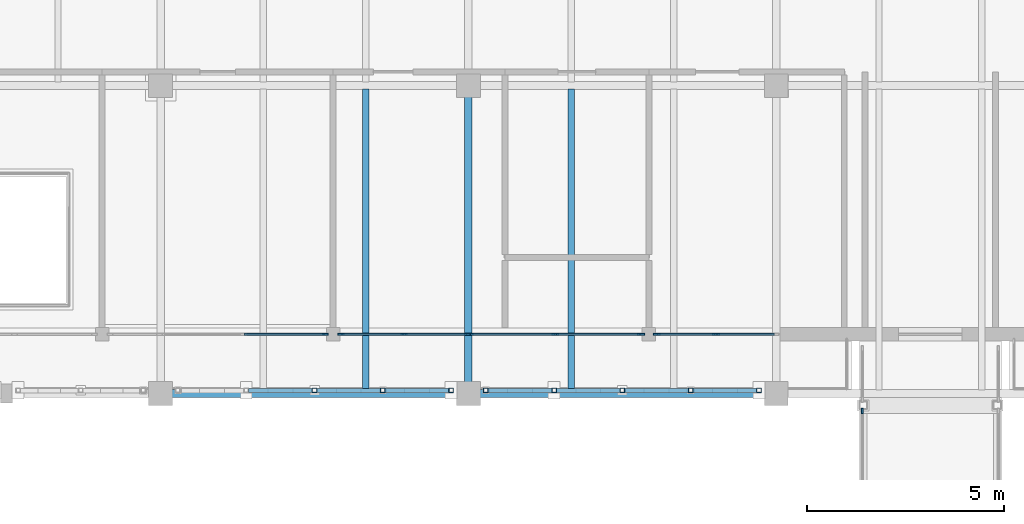
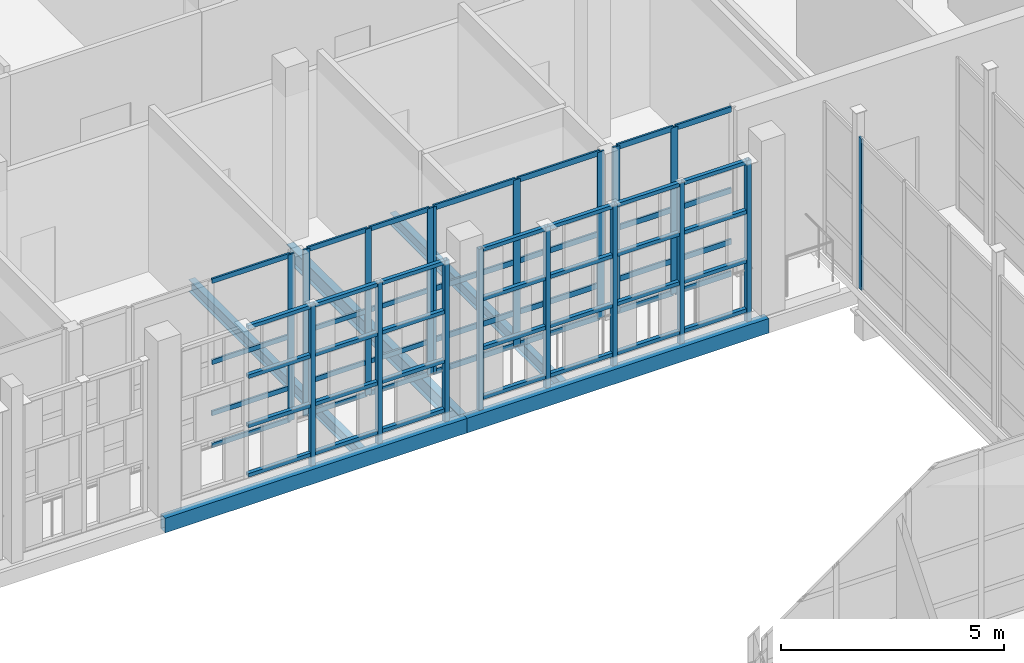
# One storey, part 71 of 138: 74 members, 5 beams, 5 elements without a shape of their own.
"""IFC4 building model written with IfcOpenShell, lengths in metres."""

from ifc_helpers import new_model, si_unit, direction, frame, origin, origin_2d, place, context, subcontext, project, spatial, rectangle, hollow_rectangle, i_section, extrude, material, layer, layer_set, material_profile, profile_set, type_object, element, aggregate, save


model = new_model("IFC4")

# Units and contexts
model_context = context("Model", 3, precision=1e-05, world=origin(), true_north=direction((0.0, 1.0)))
body_context = subcontext(model_context, "Body", "Model", "MODEL_VIEW")
ifc_project = project(units=[si_unit("LENGTHUNIT", "METRE"), si_unit("AREAUNIT", "SQUARE_METRE"), si_unit("VOLUMEUNIT", "CUBIC_METRE"), si_unit("PLANEANGLEUNIT", "RADIAN"), si_unit("MASSUNIT", "GRAM", prefix="KILO")], contexts=[model_context])

# Site, building, storey
site_placement = place(None, origin())
site = spatial("IfcSite", under=ifc_project, at=site_placement, CompositionType="ELEMENT")
building_placement = place(site_placement, origin())
building = spatial("IfcBuilding", under=site, at=building_placement, Name="Celorna Specialist Clinic", CompositionType="ELEMENT")
storey_placement = place(building_placement, frame((0.0, 0.0, 4.800048828125)))
storey = spatial("IfcBuildingStorey", under=building, at=storey_placement, Name="L01", CompositionType="ELEMENT", Elevation=4.800048828125)

# Beams
ifc_material_1 = material(Name="Steel S355", Category="steel")
ifc_material_profile_1 = material_profile(ifc_material_1, i_section(OverallWidth=0.18994140625, OverallDepth=0.449951171875, WebThickness=0.009521484375, FlangeThickness=0.0146484375, at=origin_2d()), Name="IPE 450")
ifc_profile_set_1 = profile_set([ifc_material_profile_1], Name="Steel S355")
beam_type_1 = type_object("IfcBeamType", Name="BM-09", PredefinedType="BEAM", material=ifc_profile_set_1)
beam_1_placement = place(storey_placement, frame((132.60009765625, 96.5, -0.485107421875), z_axis=(0.0, 1.0, 0.0), x_axis=(-1.0, 0.0, 0.0)))
element("IfcBeam", 1, at=beam_1_placement, inside=storey, type_object=beam_type_1, Name="Transverse girder BM-09 #965", PredefinedType="BEAM", context=body_context, shape_type="SweptSolid", body=[
    extrude(i_section(OverallWidth=0.18994140625, OverallDepth=0.449951171875, WebThickness=0.009521484375, FlangeThickness=0.0146484375, at=origin_2d()), origin(), (0.0, 0.0, 1.0), 7.800048828125),
])
ifc_material_profile_2 = material_profile(ifc_material_1, i_section(OverallWidth=0.159912109375, OverallDepth=0.330078125, WebThickness=0.007568359375, FlangeThickness=0.011474609375, at=origin_2d()), Name="IPE 330")
ifc_profile_set_2 = profile_set([ifc_material_profile_2], Name="Steel S355")
beam_type_2 = type_object("IfcBeamType", Name="BM-12", PredefinedType="JOIST", material=ifc_profile_set_2)
for number, where, z_axis, x_axis, name in (
    (2, (130.0, 96.587890625, -0.425048828125), (0.0, 1.0, 0.0), (-1.0, 0.0, 0.0), "Secondary floor joist BM-12 #1034"),
    (3, (135.199951171875, 96.587890625, -0.425048828125), (0.0, 1.0, 0.0), (-1.0, 0.0, 0.0), "Secondary floor joist BM-12 #1039"),
):
    element("IfcBeam", number, at=place(storey_placement, frame(where, z_axis=z_axis, x_axis=x_axis)), inside=storey, type_object=beam_type_2, Name=name, PredefinedType="JOIST", context=body_context, shape_type="SweptSolid", body=[
        extrude(i_section(OverallWidth=0.159912109375, OverallDepth=0.330078125, WebThickness=0.007568359375, FlangeThickness=0.011474609375, at=origin_2d()), origin(), (0.0, 0.0, 1.0), 7.6240234375),
    ])
ifc_material_profile_3 = material_profile(ifc_material_1, hollow_rectangle(XDim=0.199951171875, YDim=0.39990234375, WallThickness=0.011962890625, at=origin_2d()), Name="RHS 200x400x12")
ifc_profile_set_3 = profile_set([ifc_material_profile_3], Name="Steel S355")
beam_type_3 = type_object("IfcBeamType", Name="BM-15", PredefinedType="SPANDREL", material=ifc_profile_set_3)
beam_2_placement = place(storey_placement, frame((124.800048828125, 96.5, -0.4599609375), z_axis=(1.0, 0.0, 0.0), x_axis=(0.0, 1.0, 0.0)))
element("IfcBeam", 4, at=beam_2_placement, inside=storey, type_object=beam_type_3, Name="Spandrel beam BM-15 #879", PredefinedType="SPANDREL", context=body_context, shape_type="SweptSolid", body=[
    extrude(hollow_rectangle(XDim=0.199951171875, YDim=0.39990234375, WallThickness=0.011962890625, at=origin_2d()), origin(), (0.0, 0.0, 1.0), 7.800048828125),
])
beam_3_placement = place(storey_placement, frame((132.60009765625, 96.5, -0.4599609375), z_axis=(1.0, 0.0, 0.0), x_axis=(0.0, 1.0, 0.0)))
element("IfcBeam", 5, at=beam_3_placement, inside=storey, type_object=beam_type_3, Name="Spandrel beam BM-15 #880", PredefinedType="SPANDREL", context=body_context, shape_type="SweptSolid", body=[
    extrude(hollow_rectangle(XDim=0.199951171875, YDim=0.39990234375, WallThickness=0.011962890625, at=origin_2d()), origin(), (0.0, 0.0, 1.0), 7.7998046875),
])

# Members
ifc_material_profile_4 = material_profile(ifc_material_1, hollow_rectangle(XDim=0.1201171875, YDim=0.1201171875, WallThickness=0.008056640625, at=origin_2d()), Name="SHS 120x120x8")
ifc_profile_set_4 = profile_set([ifc_material_profile_4], Name="Steel S355")
member_type_1 = type_object("IfcMemberType", Name="MB-11", PredefinedType="STUD", material=ifc_profile_set_4)
for number, where, z_axis, x_axis, name in (
    (6, (128.699951171875, 96.580078125, -0.360107421875), (0.0, 0.0, 1.0), (1.0, 0.0, 0.0), "Perforated screen steel post #902"),
    (7, (130.429931640625, 96.580078125, -0.360107421875), (0.0, 0.0, 1.0), (1.0, 0.0, 0.0), "Perforated screen steel post #903"),
    (8, (132.159912109375, 96.580078125, -0.360107421875), (0.0, 0.0, 1.0), (1.0, 0.0, 0.0), "Perforated screen steel post #904"),
    (9, (133.0400390625, 96.580078125, -0.360107421875), (0.0, 0.0, 1.0), (1.0, 0.0, 0.0), "Perforated screen steel post #921"),
    (10, (134.77001953125, 96.580078125, -0.360107421875), (0.0, 0.0, 1.0), (1.0, 0.0, 0.0), "Perforated screen steel post #922"),
    (11, (136.5, 96.580078125, -0.360107421875), (0.0, 0.0, 1.0), (1.0, 0.0, 0.0), "Perforated screen steel post #923"),
    (12, (138.22998046875, 96.580078125, -0.360107421875), (0.0, 0.0, 1.0), (1.0, 0.0, 0.0), "Perforated screen steel post #924"),
    (13, (139.9599609375, 96.580078125, -0.360107421875), (0.0, 0.0, 1.0), (1.0, 0.0, 0.0), "Perforated screen steel post #925"),
):
    element("IfcMember", number, at=place(storey_placement, frame(where, z_axis=z_axis, x_axis=x_axis)), inside=storey, type_object=member_type_1, Name=name, PredefinedType="STUD", context=body_context, shape_type="SweptSolid", body=[
        extrude(hollow_rectangle(XDim=0.1201171875, YDim=0.1201171875, WallThickness=0.008056640625, at=origin_2d()), origin(), (0.0, 0.0, 1.0), 4.5),
    ])
ifc_material_profile_5 = material_profile(ifc_material_1, hollow_rectangle(XDim=0.10009765625, YDim=0.10009765625, WallThickness=0.006103515625, at=origin_2d()), Name="SHS 100x100x6")
ifc_profile_set_5 = profile_set([ifc_material_profile_5], Name="Steel S355")
member_type_2 = type_object("IfcMemberType", Name="MB-12", PredefinedType="STUD", material=ifc_profile_set_5)
for number, where, z_axis, x_axis, name in (
    (14, (127.030029296875, 96.580078125, 0.050048828125), (1.0, 0.0, 0.0), (0.0, 1.0, 0.0), "Perforated screen rail #909"),
    (15, (127.030029296875, 96.580078125, 1.396728515625), (1.0, 0.0, 0.0), (0.0, 1.0, 0.0), "Perforated screen rail #910"),
    (16, (127.030029296875, 96.580078125, 2.7431640625), (1.0, 0.0, 0.0), (0.0, 1.0, 0.0), "Perforated screen rail #911"),
    (17, (127.030029296875, 96.580078125, 4.08984375), (1.0, 0.0, 0.0), (0.0, 1.0, 0.0), "Perforated screen rail #912"),
):
    element("IfcMember", number, at=place(storey_placement, frame(where, z_axis=z_axis, x_axis=x_axis)), inside=storey, type_object=member_type_2, Name=name, PredefinedType="STUD", context=body_context, shape_type="SweptSolid", body=[
        extrude(hollow_rectangle(XDim=0.10009765625, YDim=0.10009765625, WallThickness=0.006103515625, at=origin_2d()), origin(), (0.0, 0.0, 1.0), 1.60986328125),
    ])
for number, where, z_axis, x_axis, name in (
    (18, (128.760009765625, 96.580078125, 0.050048828125), (1.0, 0.0, 0.0), (0.0, 1.0, 0.0), "Perforated screen rail #913"),
    (19, (128.760009765625, 96.580078125, 1.396728515625), (1.0, 0.0, 0.0), (0.0, 1.0, 0.0), "Perforated screen rail #914"),
    (20, (128.760009765625, 96.580078125, 2.7431640625), (1.0, 0.0, 0.0), (0.0, 1.0, 0.0), "Perforated screen rail #915"),
    (21, (128.760009765625, 96.580078125, 4.08984375), (1.0, 0.0, 0.0), (0.0, 1.0, 0.0), "Perforated screen rail #916"),
    (22, (130.489990234375, 96.580078125, 0.050048828125), (1.0, 0.0, 0.0), (0.0, 1.0, 0.0), "Perforated screen rail #917"),
    (23, (130.489990234375, 96.580078125, 1.396728515625), (1.0, 0.0, 0.0), (0.0, 1.0, 0.0), "Perforated screen rail #918"),
    (24, (130.489990234375, 96.580078125, 2.7431640625), (1.0, 0.0, 0.0), (0.0, 1.0, 0.0), "Perforated screen rail #919"),
    (25, (130.489990234375, 96.580078125, 4.08984375), (1.0, 0.0, 0.0), (0.0, 1.0, 0.0), "Perforated screen rail #920"),
):
    element("IfcMember", number, at=place(storey_placement, frame(where, z_axis=z_axis, x_axis=x_axis)), inside=storey, type_object=member_type_2, Name=name, PredefinedType="STUD", context=body_context, shape_type="SweptSolid", body=[
        extrude(hollow_rectangle(XDim=0.10009765625, YDim=0.10009765625, WallThickness=0.006103515625, at=origin_2d()), origin(), (0.0, 0.0, 1.0), 1.610107421875),
    ])
for number, where, z_axis, x_axis, name in (
    (26, (133.10009765625, 96.580078125, 0.050048828125), (1.0, 0.0, 0.0), (0.0, 1.0, 0.0), "Perforated screen rail #926"),
    (27, (133.10009765625, 96.580078125, 1.396728515625), (1.0, 0.0, 0.0), (0.0, 1.0, 0.0), "Perforated screen rail #927"),
    (28, (133.10009765625, 96.580078125, 2.7431640625), (1.0, 0.0, 0.0), (0.0, 1.0, 0.0), "Perforated screen rail #928"),
    (29, (133.10009765625, 96.580078125, 4.08984375), (1.0, 0.0, 0.0), (0.0, 1.0, 0.0), "Perforated screen rail #929"),
    (30, (134.830078125, 96.580078125, 0.050048828125), (1.0, 0.0, 0.0), (0.0, 1.0, 0.0), "Perforated screen rail #930"),
    (31, (134.830078125, 96.580078125, 1.396728515625), (1.0, 0.0, 0.0), (0.0, 1.0, 0.0), "Perforated screen rail #931"),
    (32, (134.830078125, 96.580078125, 2.7431640625), (1.0, 0.0, 0.0), (0.0, 1.0, 0.0), "Perforated screen rail #932"),
    (33, (134.830078125, 96.580078125, 4.08984375), (1.0, 0.0, 0.0), (0.0, 1.0, 0.0), "Perforated screen rail #933"),
    (34, (136.56005859375, 96.580078125, 0.050048828125), (1.0, 0.0, 0.0), (0.0, 1.0, 0.0), "Perforated screen rail #934"),
    (35, (136.56005859375, 96.580078125, 1.396728515625), (1.0, 0.0, 0.0), (0.0, 1.0, 0.0), "Perforated screen rail #935"),
    (36, (136.56005859375, 96.580078125, 2.7431640625), (1.0, 0.0, 0.0), (0.0, 1.0, 0.0), "Perforated screen rail #936"),
    (37, (136.56005859375, 96.580078125, 4.08984375), (1.0, 0.0, 0.0), (0.0, 1.0, 0.0), "Perforated screen rail #937"),
    (38, (138.2900390625, 96.580078125, 0.050048828125), (1.0, 0.0, 0.0), (0.0, 1.0, 0.0), "Perforated screen rail #938"),
    (39, (138.2900390625, 96.580078125, 1.396728515625), (1.0, 0.0, 0.0), (0.0, 1.0, 0.0), "Perforated screen rail #939"),
    (40, (138.2900390625, 96.580078125, 2.7431640625), (1.0, 0.0, 0.0), (0.0, 1.0, 0.0), "Perforated screen rail #940"),
    (41, (138.2900390625, 96.580078125, 4.08984375), (1.0, 0.0, 0.0), (0.0, 1.0, 0.0), "Perforated screen rail #941"),
):
    element("IfcMember", number, at=place(storey_placement, frame(where, z_axis=z_axis, x_axis=x_axis)), inside=storey, type_object=member_type_2, Name=name, PredefinedType="STUD", context=body_context, shape_type="SweptSolid", body=[
        extrude(hollow_rectangle(XDim=0.10009765625, YDim=0.10009765625, WallThickness=0.006103515625, at=origin_2d()), origin(), (0.0, 0.0, 1.0), 1.60986328125),
    ])

# Curtain wall, members
ifc_material_2 = material(Name="Thermally broken aluminium and solar-control glass curtain wall", Category="aluminium")
ifc_layer_1 = layer(ifc_material_2, 0.159912109375, Name="Thermally broken aluminium and solar-control glass curtain wall")
ifc_layer_set_1 = layer_set([ifc_layer_1], Name="Thermally broken aluminium and solar-control glass curtain wall")
curtain_wall_type_1 = type_object("IfcCurtainWallType", Name="CW-61", PredefinedType="NOTDEFINED", material=ifc_layer_set_1)
curtain_wall_1_placement = place(storey_placement, origin())
curtain_wall_1 = element("IfcCurtainWall", 42, at=curtain_wall_1_placement, inside=storey, type_object=curtain_wall_type_1, Name="Curtain wall CW-61 #115", PredefinedType="NOTDEFINED")
ifc_material_3 = material(Name="Anodized aluminium mullion", Category="aluminium")
ifc_material_profile_6 = material_profile(ifc_material_3, rectangle(XDim=0.050048828125, YDim=0.159912109375, at=origin_2d()), Name="ALU MULLION 50x160")
ifc_profile_set_6 = profile_set([ifc_material_profile_6], Name="Anodized aluminium mullion")
member_type_3 = type_object("IfcMemberType", Name="ML-01", PredefinedType="MULLION", material=ifc_profile_set_6)
member_1_placement = place(storey_placement, frame((132.571044921875, 98.0, 0.0), z_axis=(0.0, 0.0, 1.0), x_axis=(0.0, -1.0, 0.0)))
member_1 = element("IfcMember", 43, at=member_1_placement, type_object=member_type_3, Name="CW-61 mullion 1", PredefinedType="MULLION", context=body_context, shape_type="SweptSolid", body=[
    extrude(rectangle(XDim=0.050048828125, YDim=0.159912109375, at=origin_2d()), origin(), (0.0, 0.0, 1.0), 4.5400390625),
])
member_2_placement = place(storey_placement, frame((130.969970703125, 98.0, 0.0), z_axis=(0.0, 0.0, 1.0), x_axis=(0.0, -1.0, 0.0)))
member_2 = element("IfcMember", 44, at=member_2_placement, type_object=member_type_3, Name="CW-61 mullion 2", PredefinedType="MULLION", context=body_context, shape_type="SweptSolid", body=[
    extrude(rectangle(XDim=0.050048828125, YDim=0.159912109375, at=origin_2d()), origin(), (0.0, 0.0, 1.0), 4.5400390625),
])
member_3_placement = place(storey_placement, frame((129.368896484375, 98.0, 0.0), z_axis=(0.0, 0.0, 1.0), x_axis=(0.0, -1.0, 0.0)))
member_3 = element("IfcMember", 45, at=member_3_placement, type_object=member_type_3, Name="CW-61 mullion 3", PredefinedType="MULLION", context=body_context, shape_type="SweptSolid", body=[
    extrude(rectangle(XDim=0.050048828125, YDim=0.159912109375, at=origin_2d()), origin(), (0.0, 0.0, 1.0), 4.5400390625),
])

# Curtain wall, member
ifc_layer_2 = layer(ifc_material_2, 0.159912109375, Name="Thermally broken aluminium and solar-control glass curtain wall")
ifc_layer_set_2 = layer_set([ifc_layer_2], Name="Thermally broken aluminium and solar-control glass curtain wall")
curtain_wall_type_2 = type_object("IfcCurtainWallType", Name="CW-62", PredefinedType="NOTDEFINED", material=ifc_layer_set_2)
curtain_wall_2_placement = place(storey_placement, origin())
curtain_wall_2 = element("IfcCurtainWall", 46, at=curtain_wall_2_placement, inside=storey, type_object=curtain_wall_type_2, Name="Curtain wall CW-62 #116", PredefinedType="NOTDEFINED")
member_4_placement = place(storey_placement, frame((128.970947265625, 98.0, 0.0), z_axis=(0.0, 0.0, 1.0), x_axis=(0.0, -1.0, 0.0)))
member_4 = element("IfcMember", 47, at=member_4_placement, type_object=member_type_3, Name="CW-62 mullion 1", PredefinedType="MULLION", context=body_context, shape_type="SweptSolid", body=[
    extrude(rectangle(XDim=0.050048828125, YDim=0.159912109375, at=origin_2d()), origin(), (0.0, 0.0, 1.0), 4.5400390625),
])

# Curtain wall, members
ifc_layer_3 = layer(ifc_material_2, 0.159912109375, Name="Thermally broken aluminium and solar-control glass curtain wall")
ifc_layer_set_3 = layer_set([ifc_layer_3], Name="Thermally broken aluminium and solar-control glass curtain wall")
curtain_wall_type_3 = type_object("IfcCurtainWallType", Name="CW-63", PredefinedType="NOTDEFINED", material=ifc_layer_set_3)
curtain_wall_3_placement = place(storey_placement, origin())
curtain_wall_3 = element("IfcCurtainWall", 48, at=curtain_wall_3_placement, inside=storey, type_object=curtain_wall_type_3, Name="Curtain wall CW-63 #117", PredefinedType="NOTDEFINED")
ifc_material_profile_7 = material_profile(ifc_material_3, rectangle(XDim=0.050048828125, YDim=0.179931640625, at=origin_2d()), Name="ALU MULLION 50x180")
ifc_profile_set_7 = profile_set([ifc_material_profile_7], Name="Anodized aluminium mullion")
member_type_4 = type_object("IfcMemberType", Name="ML-02", PredefinedType="MULLION", material=ifc_profile_set_7)
member_5_placement = place(storey_placement, frame((138.8701171875, 98.0, 0.0), z_axis=(0.0, 0.0, 1.0), x_axis=(0.0, -1.0, 0.0)))
member_5 = element("IfcMember", 49, at=member_5_placement, type_object=member_type_4, Name="CW-63 mullion 2", PredefinedType="MULLION", context=body_context, shape_type="SweptSolid", body=[
    extrude(rectangle(XDim=0.050048828125, YDim=0.179931640625, at=origin_2d()), origin(), (0.0, 0.0, 1.0), 4.5400390625),
])
member_6_placement = place(storey_placement, frame((137.368896484375, 98.0, 0.0), z_axis=(0.0, 0.0, 1.0), x_axis=(0.0, -1.0, 0.0)))
member_6 = element("IfcMember", 50, at=member_6_placement, type_object=member_type_4, Name="CW-63 mullion 3", PredefinedType="MULLION", context=body_context, shape_type="SweptSolid", body=[
    extrude(rectangle(XDim=0.050048828125, YDim=0.179931640625, at=origin_2d()), origin(), (0.0, 0.0, 1.0), 4.5400390625),
])

ifc_layer_4 = layer(ifc_material_2, 0.159912109375, Name="Thermally broken aluminium and solar-control glass curtain wall")
ifc_layer_set_4 = layer_set([ifc_layer_4], Name="Thermally broken aluminium and solar-control glass curtain wall")
curtain_wall_type_4 = type_object("IfcCurtainWallType", Name="CW-64", PredefinedType="NOTDEFINED", material=ifc_layer_set_4)
curtain_wall_4_placement = place(storey_placement, origin())
curtain_wall_4 = element("IfcCurtainWall", 51, at=curtain_wall_4_placement, inside=storey, type_object=curtain_wall_type_4, Name="Curtain wall CW-64 #118", PredefinedType="NOTDEFINED")
member_7_placement = place(storey_placement, frame((136.970947265625, 98.0, 0.0), z_axis=(0.0, 0.0, 1.0), x_axis=(0.0, -1.0, 0.0)))
member_7 = element("IfcMember", 52, at=member_7_placement, type_object=member_type_4, Name="CW-64 mullion 1", PredefinedType="MULLION", context=body_context, shape_type="SweptSolid", body=[
    extrude(rectangle(XDim=0.050048828125, YDim=0.179931640625, at=origin_2d()), origin(), (0.0, 0.0, 1.0), 4.5400390625),
])
member_8_placement = place(storey_placement, frame((134.800048828125, 98.0, 0.0), z_axis=(0.0, 0.0, 1.0), x_axis=(0.0, -1.0, 0.0)))
member_8 = element("IfcMember", 53, at=member_8_placement, type_object=member_type_4, Name="CW-64 mullion 2", PredefinedType="MULLION", context=body_context, shape_type="SweptSolid", body=[
    extrude(rectangle(XDim=0.050048828125, YDim=0.179931640625, at=origin_2d()), origin(), (0.0, 0.0, 1.0), 4.5400390625),
])
member_9_placement = place(storey_placement, frame((132.62890625, 98.0, 0.0), z_axis=(0.0, 0.0, 1.0), x_axis=(0.0, -1.0, 0.0)))
member_9 = element("IfcMember", 54, at=member_9_placement, type_object=member_type_4, Name="CW-64 mullion 3", PredefinedType="MULLION", context=body_context, shape_type="SweptSolid", body=[
    extrude(rectangle(XDim=0.050048828125, YDim=0.179931640625, at=origin_2d()), origin(), (0.0, 0.0, 1.0), 4.5400390625),
])

# Curtain wall, member
ifc_layer_5 = layer(ifc_material_2, 0.159912109375, Name="Thermally broken aluminium and solar-control glass curtain wall")
ifc_layer_set_5 = layer_set([ifc_layer_5], Name="Thermally broken aluminium and solar-control glass curtain wall")
curtain_wall_type_5 = type_object("IfcCurtainWallType", Name="CW-117", PredefinedType="NOTDEFINED", material=ifc_layer_set_5)
curtain_wall_5_placement = place(storey_placement, origin())
curtain_wall_5 = element("IfcCurtainWall", 55, at=curtain_wall_5_placement, inside=storey, type_object=curtain_wall_type_5, Name="Curtain wall CW-117 #221", PredefinedType="NOTDEFINED")
ifc_material_profile_8 = material_profile(ifc_material_3, rectangle(XDim=0.050048828125, YDim=0.139892578125, at=origin_2d()), Name="ALU MULLION 50x140")
ifc_profile_set_8 = profile_set([ifc_material_profile_8], Name="Anodized aluminium mullion")
member_type_5 = type_object("IfcMemberType", Name="ML-03", PredefinedType="MULLION", material=ifc_profile_set_8)
member_10_placement = place(storey_placement, frame((142.580078125, 96.054931640625, 0.0), z_axis=(0.0, 0.0, 1.0), x_axis=(-1.0, 0.0, 0.0)))
member_10 = element("IfcMember", 56, at=member_10_placement, type_object=member_type_5, Name="CW-117 mullion 4", PredefinedType="MULLION", context=body_context, shape_type="SweptSolid", body=[
    extrude(rectangle(XDim=0.050048828125, YDim=0.139892578125, at=origin_2d()), origin(), (0.0, 0.0, 1.0), 4.1298828125),
])
aggregate(curtain_wall_5, [member_10])

# Member
ifc_material_4 = material(Name="Anodized aluminium transom", Category="aluminium")
ifc_material_profile_9 = material_profile(ifc_material_4, rectangle(XDim=0.050048828125, YDim=0.1298828125, at=origin_2d()), Name="ALU TRANSOM 50x130")
ifc_profile_set_9 = profile_set([ifc_material_profile_9], Name="Anodized aluminium transom")
member_type_6 = type_object("IfcMemberType", Name="TR-01", PredefinedType="USERDEFINED", material=ifc_profile_set_9)
member_11_placement = place(storey_placement, frame((132.5458984375, 98.0, 0.02490234375), z_axis=(-1.0, 0.0, 0.0), x_axis=(0.0, -1.0, 0.0)))
member_11 = element("IfcMember", 57, at=member_11_placement, type_object=member_type_6, Name="CW-61 transom 1.1", ObjectType="TRANSOM", PredefinedType="USERDEFINED", context=body_context, shape_type="SweptSolid", body=[
    extrude(rectangle(XDim=0.050048828125, YDim=0.1298828125, at=origin_2d()), origin(), (0.0, 0.0, 1.0), 1.55078125),
])

member_12_placement = place(storey_placement, frame((132.5458984375, 98.0, 0.89990234375), z_axis=(-1.0, 0.0, 0.0), x_axis=(0.0, -1.0, 0.0)))
member_12 = element("IfcMember", 58, at=member_12_placement, type_object=member_type_6, Name="CW-61 transom 1.2", ObjectType="TRANSOM", PredefinedType="USERDEFINED", context=body_context, shape_type="SweptSolid", body=[
    extrude(rectangle(XDim=0.050048828125, YDim=0.1298828125, at=origin_2d()), origin(), (0.0, 0.0, 1.0), 1.55078125),
])

member_13_placement = place(storey_placement, frame((132.5458984375, 98.0, 2.300048828125), z_axis=(-1.0, 0.0, 0.0), x_axis=(0.0, -1.0, 0.0)))
member_13 = element("IfcMember", 59, at=member_13_placement, type_object=member_type_6, Name="CW-61 transom 1.3", ObjectType="TRANSOM", PredefinedType="USERDEFINED", context=body_context, shape_type="SweptSolid", body=[
    extrude(rectangle(XDim=0.050048828125, YDim=0.1298828125, at=origin_2d()), origin(), (0.0, 0.0, 1.0), 1.55078125),
])

member_14_placement = place(storey_placement, frame((132.5458984375, 98.0, 4.514892578125), z_axis=(-1.0, 0.0, 0.0), x_axis=(0.0, -1.0, 0.0)))
member_14 = element("IfcMember", 60, at=member_14_placement, type_object=member_type_6, Name="CW-61 transom 1.4", ObjectType="TRANSOM", PredefinedType="USERDEFINED", context=body_context, shape_type="SweptSolid", body=[
    extrude(rectangle(XDim=0.050048828125, YDim=0.1298828125, at=origin_2d()), origin(), (0.0, 0.0, 1.0), 1.55078125),
])

member_15_placement = place(storey_placement, frame((130.945068359375, 98.0, 0.02490234375), z_axis=(-1.0, 0.0, 0.0), x_axis=(0.0, -1.0, 0.0)))
member_15 = element("IfcMember", 61, at=member_15_placement, type_object=member_type_6, Name="CW-61 transom 2.1", ObjectType="TRANSOM", PredefinedType="USERDEFINED", context=body_context, shape_type="SweptSolid", body=[
    extrude(rectangle(XDim=0.050048828125, YDim=0.1298828125, at=origin_2d()), origin(), (0.0, 0.0, 1.0), 1.551025390625),
])

member_16_placement = place(storey_placement, frame((130.945068359375, 98.0, 0.89990234375), z_axis=(-1.0, 0.0, 0.0), x_axis=(0.0, -1.0, 0.0)))
member_16 = element("IfcMember", 62, at=member_16_placement, type_object=member_type_6, Name="CW-61 transom 2.2", ObjectType="TRANSOM", PredefinedType="USERDEFINED", context=body_context, shape_type="SweptSolid", body=[
    extrude(rectangle(XDim=0.050048828125, YDim=0.1298828125, at=origin_2d()), origin(), (0.0, 0.0, 1.0), 1.551025390625),
])

member_17_placement = place(storey_placement, frame((130.945068359375, 98.0, 2.300048828125), z_axis=(-1.0, 0.0, 0.0), x_axis=(0.0, -1.0, 0.0)))
member_17 = element("IfcMember", 63, at=member_17_placement, type_object=member_type_6, Name="CW-61 transom 2.3", ObjectType="TRANSOM", PredefinedType="USERDEFINED", context=body_context, shape_type="SweptSolid", body=[
    extrude(rectangle(XDim=0.050048828125, YDim=0.1298828125, at=origin_2d()), origin(), (0.0, 0.0, 1.0), 1.551025390625),
])

member_18_placement = place(storey_placement, frame((130.945068359375, 98.0, 4.514892578125), z_axis=(-1.0, 0.0, 0.0), x_axis=(0.0, -1.0, 0.0)))
member_18 = element("IfcMember", 64, at=member_18_placement, type_object=member_type_6, Name="CW-61 transom 2.4", ObjectType="TRANSOM", PredefinedType="USERDEFINED", context=body_context, shape_type="SweptSolid", body=[
    extrude(rectangle(XDim=0.050048828125, YDim=0.1298828125, at=origin_2d()), origin(), (0.0, 0.0, 1.0), 1.551025390625),
])

aggregate(curtain_wall_1, [member_1, member_2, member_3, member_11, member_12, member_13, member_14, member_15, member_16, member_17, member_18])

member_19_placement = place(storey_placement, frame((128.946044921875, 98.0, 0.02490234375), z_axis=(-1.0, 0.0, 0.0), x_axis=(0.0, -1.0, 0.0)))
member_19 = element("IfcMember", 65, at=member_19_placement, type_object=member_type_6, Name="CW-62 transom 1.1", ObjectType="TRANSOM", PredefinedType="USERDEFINED", context=body_context, shape_type="SweptSolid", body=[
    extrude(rectangle(XDim=0.050048828125, YDim=0.1298828125, at=origin_2d()), origin(), (0.0, 0.0, 1.0), 2.02099609375),
])

member_20_placement = place(storey_placement, frame((128.946044921875, 98.0, 0.89990234375), z_axis=(-1.0, 0.0, 0.0), x_axis=(0.0, -1.0, 0.0)))
member_20 = element("IfcMember", 66, at=member_20_placement, type_object=member_type_6, Name="CW-62 transom 1.2", ObjectType="TRANSOM", PredefinedType="USERDEFINED", context=body_context, shape_type="SweptSolid", body=[
    extrude(rectangle(XDim=0.050048828125, YDim=0.1298828125, at=origin_2d()), origin(), (0.0, 0.0, 1.0), 2.02099609375),
])

member_21_placement = place(storey_placement, frame((128.946044921875, 98.0, 2.300048828125), z_axis=(-1.0, 0.0, 0.0), x_axis=(0.0, -1.0, 0.0)))
member_21 = element("IfcMember", 67, at=member_21_placement, type_object=member_type_6, Name="CW-62 transom 1.3", ObjectType="TRANSOM", PredefinedType="USERDEFINED", context=body_context, shape_type="SweptSolid", body=[
    extrude(rectangle(XDim=0.050048828125, YDim=0.1298828125, at=origin_2d()), origin(), (0.0, 0.0, 1.0), 2.02099609375),
])

member_22_placement = place(storey_placement, frame((128.946044921875, 98.0, 4.514892578125), z_axis=(-1.0, 0.0, 0.0), x_axis=(0.0, -1.0, 0.0)))
member_22 = element("IfcMember", 68, at=member_22_placement, type_object=member_type_6, Name="CW-62 transom 1.4", ObjectType="TRANSOM", PredefinedType="USERDEFINED", context=body_context, shape_type="SweptSolid", body=[
    extrude(rectangle(XDim=0.050048828125, YDim=0.1298828125, at=origin_2d()), origin(), (0.0, 0.0, 1.0), 2.02099609375),
])

aggregate(curtain_wall_2, [member_4, member_19, member_20, member_21, member_22])

ifc_material_profile_10 = material_profile(ifc_material_4, rectangle(XDim=0.050048828125, YDim=0.14990234375, at=origin_2d()), Name="ALU TRANSOM 50x150")
ifc_profile_set_10 = profile_set([ifc_material_profile_10], Name="Anodized aluminium transom")
member_type_7 = type_object("IfcMemberType", Name="TR-02", PredefinedType="USERDEFINED", material=ifc_profile_set_10)
member_23_placement = place(storey_placement, frame((140.345947265625, 98.0, 0.02490234375), z_axis=(-1.0, 0.0, 0.0), x_axis=(0.0, -1.0, 0.0)))
member_23 = element("IfcMember", 69, at=member_23_placement, type_object=member_type_7, Name="CW-63 transom 1.1", ObjectType="TRANSOM", PredefinedType="USERDEFINED", context=body_context, shape_type="SweptSolid", body=[
    extrude(rectangle(XDim=0.050048828125, YDim=0.14990234375, at=origin_2d()), origin(), (0.0, 0.0, 1.0), 1.450927734375),
])

member_24_placement = place(storey_placement, frame((140.345947265625, 98.0, 0.89990234375), z_axis=(-1.0, 0.0, 0.0), x_axis=(0.0, -1.0, 0.0)))
member_24 = element("IfcMember", 70, at=member_24_placement, type_object=member_type_7, Name="CW-63 transom 1.2", ObjectType="TRANSOM", PredefinedType="USERDEFINED", context=body_context, shape_type="SweptSolid", body=[
    extrude(rectangle(XDim=0.050048828125, YDim=0.14990234375, at=origin_2d()), origin(), (0.0, 0.0, 1.0), 1.450927734375),
])

member_25_placement = place(storey_placement, frame((140.345947265625, 98.0, 2.300048828125), z_axis=(-1.0, 0.0, 0.0), x_axis=(0.0, -1.0, 0.0)))
member_25 = element("IfcMember", 71, at=member_25_placement, type_object=member_type_7, Name="CW-63 transom 1.3", ObjectType="TRANSOM", PredefinedType="USERDEFINED", context=body_context, shape_type="SweptSolid", body=[
    extrude(rectangle(XDim=0.050048828125, YDim=0.14990234375, at=origin_2d()), origin(), (0.0, 0.0, 1.0), 1.450927734375),
])

member_26_placement = place(storey_placement, frame((140.345947265625, 98.0, 4.514892578125), z_axis=(-1.0, 0.0, 0.0), x_axis=(0.0, -1.0, 0.0)))
member_26 = element("IfcMember", 72, at=member_26_placement, type_object=member_type_7, Name="CW-63 transom 1.4", ObjectType="TRANSOM", PredefinedType="USERDEFINED", context=body_context, shape_type="SweptSolid", body=[
    extrude(rectangle(XDim=0.050048828125, YDim=0.14990234375, at=origin_2d()), origin(), (0.0, 0.0, 1.0), 1.450927734375),
])

member_27_placement = place(storey_placement, frame((138.844970703125, 98.0, 0.02490234375), z_axis=(-1.0, 0.0, 0.0), x_axis=(0.0, -1.0, 0.0)))
member_27 = element("IfcMember", 73, at=member_27_placement, type_object=member_type_7, Name="CW-63 transom 2.1", ObjectType="TRANSOM", PredefinedType="USERDEFINED", context=body_context, shape_type="SweptSolid", body=[
    extrude(rectangle(XDim=0.050048828125, YDim=0.14990234375, at=origin_2d()), origin(), (0.0, 0.0, 1.0), 1.450927734375),
])

member_28_placement = place(storey_placement, frame((138.844970703125, 98.0, 0.89990234375), z_axis=(-1.0, 0.0, 0.0), x_axis=(0.0, -1.0, 0.0)))
member_28 = element("IfcMember", 74, at=member_28_placement, type_object=member_type_7, Name="CW-63 transom 2.2", ObjectType="TRANSOM", PredefinedType="USERDEFINED", context=body_context, shape_type="SweptSolid", body=[
    extrude(rectangle(XDim=0.050048828125, YDim=0.14990234375, at=origin_2d()), origin(), (0.0, 0.0, 1.0), 1.450927734375),
])

member_29_placement = place(storey_placement, frame((138.844970703125, 98.0, 2.300048828125), z_axis=(-1.0, 0.0, 0.0), x_axis=(0.0, -1.0, 0.0)))
member_29 = element("IfcMember", 75, at=member_29_placement, type_object=member_type_7, Name="CW-63 transom 2.3", ObjectType="TRANSOM", PredefinedType="USERDEFINED", context=body_context, shape_type="SweptSolid", body=[
    extrude(rectangle(XDim=0.050048828125, YDim=0.14990234375, at=origin_2d()), origin(), (0.0, 0.0, 1.0), 1.450927734375),
])

member_30_placement = place(storey_placement, frame((138.844970703125, 98.0, 4.514892578125), z_axis=(-1.0, 0.0, 0.0), x_axis=(0.0, -1.0, 0.0)))
member_30 = element("IfcMember", 76, at=member_30_placement, type_object=member_type_7, Name="CW-63 transom 2.4", ObjectType="TRANSOM", PredefinedType="USERDEFINED", context=body_context, shape_type="SweptSolid", body=[
    extrude(rectangle(XDim=0.050048828125, YDim=0.14990234375, at=origin_2d()), origin(), (0.0, 0.0, 1.0), 1.450927734375),
])

aggregate(curtain_wall_3, [member_5, member_6, member_23, member_24, member_25, member_26, member_27, member_28, member_29, member_30])

member_31_placement = place(storey_placement, frame((136.946044921875, 98.0, 0.02490234375), z_axis=(-1.0, 0.0, 0.0), x_axis=(0.0, -1.0, 0.0)))
member_31 = element("IfcMember", 77, at=member_31_placement, type_object=member_type_7, Name="CW-64 transom 1.1", ObjectType="TRANSOM", PredefinedType="USERDEFINED", context=body_context, shape_type="SweptSolid", body=[
    extrude(rectangle(XDim=0.050048828125, YDim=0.14990234375, at=origin_2d()), origin(), (0.0, 0.0, 1.0), 2.12109375),
])

member_32_placement = place(storey_placement, frame((136.946044921875, 98.0, 0.89990234375), z_axis=(-1.0, 0.0, 0.0), x_axis=(0.0, -1.0, 0.0)))
member_32 = element("IfcMember", 78, at=member_32_placement, type_object=member_type_7, Name="CW-64 transom 1.2", ObjectType="TRANSOM", PredefinedType="USERDEFINED", context=body_context, shape_type="SweptSolid", body=[
    extrude(rectangle(XDim=0.050048828125, YDim=0.14990234375, at=origin_2d()), origin(), (0.0, 0.0, 1.0), 2.12109375),
])

member_33_placement = place(storey_placement, frame((136.946044921875, 98.0, 2.300048828125), z_axis=(-1.0, 0.0, 0.0), x_axis=(0.0, -1.0, 0.0)))
member_33 = element("IfcMember", 79, at=member_33_placement, type_object=member_type_7, Name="CW-64 transom 1.3", ObjectType="TRANSOM", PredefinedType="USERDEFINED", context=body_context, shape_type="SweptSolid", body=[
    extrude(rectangle(XDim=0.050048828125, YDim=0.14990234375, at=origin_2d()), origin(), (0.0, 0.0, 1.0), 2.12109375),
])

member_34_placement = place(storey_placement, frame((136.946044921875, 98.0, 4.514892578125), z_axis=(-1.0, 0.0, 0.0), x_axis=(0.0, -1.0, 0.0)))
member_34 = element("IfcMember", 80, at=member_34_placement, type_object=member_type_7, Name="CW-64 transom 1.4", ObjectType="TRANSOM", PredefinedType="USERDEFINED", context=body_context, shape_type="SweptSolid", body=[
    extrude(rectangle(XDim=0.050048828125, YDim=0.14990234375, at=origin_2d()), origin(), (0.0, 0.0, 1.0), 2.12109375),
])

member_35_placement = place(storey_placement, frame((134.77490234375, 98.0, 0.02490234375), z_axis=(-1.0, 0.0, 0.0), x_axis=(0.0, -1.0, 0.0)))
member_35 = element("IfcMember", 81, at=member_35_placement, type_object=member_type_7, Name="CW-64 transom 2.1", ObjectType="TRANSOM", PredefinedType="USERDEFINED", context=body_context, shape_type="SweptSolid", body=[
    extrude(rectangle(XDim=0.050048828125, YDim=0.14990234375, at=origin_2d()), origin(), (0.0, 0.0, 1.0), 2.120849609375),
])

member_36_placement = place(storey_placement, frame((134.77490234375, 98.0, 0.89990234375), z_axis=(-1.0, 0.0, 0.0), x_axis=(0.0, -1.0, 0.0)))
member_36 = element("IfcMember", 82, at=member_36_placement, type_object=member_type_7, Name="CW-64 transom 2.2", ObjectType="TRANSOM", PredefinedType="USERDEFINED", context=body_context, shape_type="SweptSolid", body=[
    extrude(rectangle(XDim=0.050048828125, YDim=0.14990234375, at=origin_2d()), origin(), (0.0, 0.0, 1.0), 2.120849609375),
])

member_37_placement = place(storey_placement, frame((134.77490234375, 98.0, 2.300048828125), z_axis=(-1.0, 0.0, 0.0), x_axis=(0.0, -1.0, 0.0)))
member_37 = element("IfcMember", 83, at=member_37_placement, type_object=member_type_7, Name="CW-64 transom 2.3", ObjectType="TRANSOM", PredefinedType="USERDEFINED", context=body_context, shape_type="SweptSolid", body=[
    extrude(rectangle(XDim=0.050048828125, YDim=0.14990234375, at=origin_2d()), origin(), (0.0, 0.0, 1.0), 2.120849609375),
])

member_38_placement = place(storey_placement, frame((134.77490234375, 98.0, 4.514892578125), z_axis=(-1.0, 0.0, 0.0), x_axis=(0.0, -1.0, 0.0)))
member_38 = element("IfcMember", 84, at=member_38_placement, type_object=member_type_7, Name="CW-64 transom 2.4", ObjectType="TRANSOM", PredefinedType="USERDEFINED", context=body_context, shape_type="SweptSolid", body=[
    extrude(rectangle(XDim=0.050048828125, YDim=0.14990234375, at=origin_2d()), origin(), (0.0, 0.0, 1.0), 2.120849609375),
])

aggregate(curtain_wall_4, [member_7, member_8, member_9, member_31, member_32, member_33, member_34, member_35, member_36, member_37, member_38])

save(model, "model.ifc")
